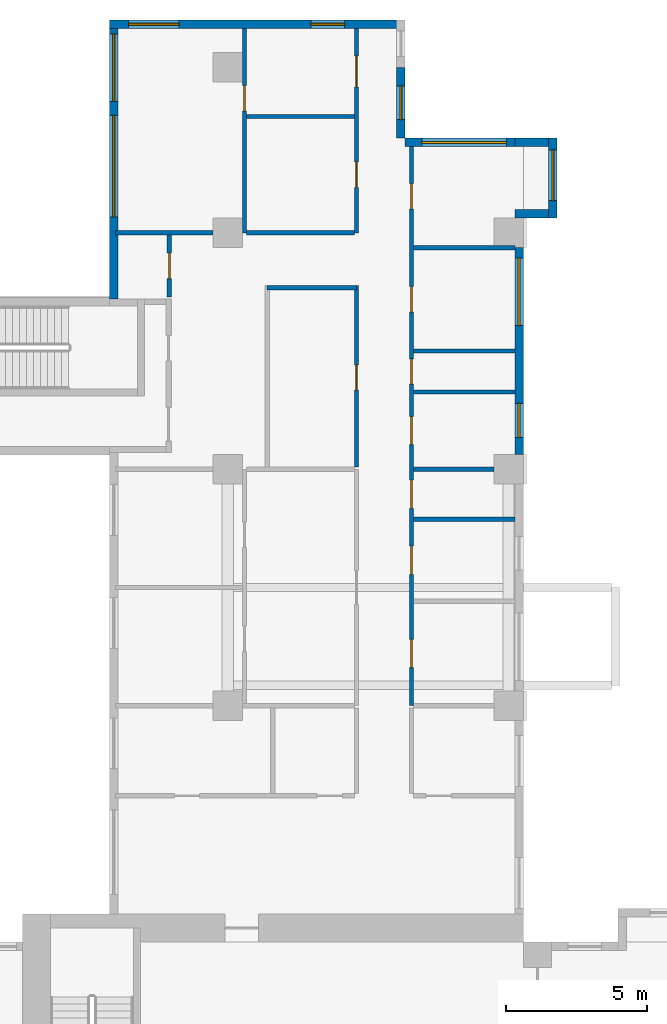
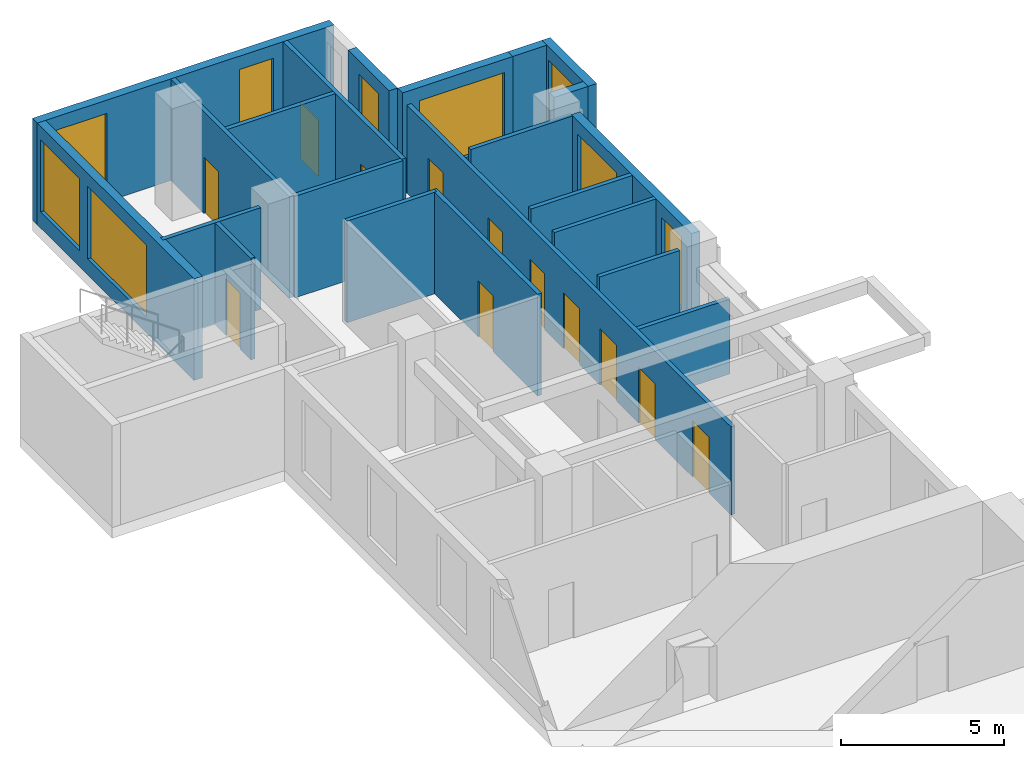
# One storey, part 7 of 14: 22 walls, 12 doors, 9 windows, 21 openings.
"""IFC4 building model written with IfcOpenShell, lengths in metres."""

from ifc_helpers import new_model, si_unit, direction, frame, frame_2d, origin, place, context, subcontext, project, spatial, rectangle, extrude, source, transform, mapped, material, layer, layer_set, type_object, element, fill, save


model = new_model("IFC4")

# Units and contexts
model_context = context("Model", 3, precision=1e-05, world=origin(), true_north=direction((0.0, 1.0)))
body_context = subcontext(model_context, "Body", "Model", "MODEL_VIEW")
ifc_project = project(units=[si_unit("LENGTHUNIT", "METRE"), si_unit("AREAUNIT", "SQUARE_METRE"), si_unit("VOLUMEUNIT", "CUBIC_METRE"), si_unit("PLANEANGLEUNIT", "RADIAN"), si_unit("MASSUNIT", "GRAM", prefix="KILO")], contexts=[model_context])

# Site, building, storey
site_placement = place(None, origin())
site = spatial("IfcSite", under=ifc_project, at=site_placement, CompositionType="ELEMENT")
building_placement = place(site_placement, origin())
building = spatial("IfcBuilding", under=site, at=building_placement, Name="Aurelian Terraces", CompositionType="ELEMENT")
storey_placement = place(building_placement, frame((0.0, 0.0, 116.1)))
storey = spatial("IfcBuildingStorey", under=building, at=storey_placement, Name="L25", CompositionType="ELEMENT", Elevation=116.1)

# Wall, opening, window
ifc_material_1 = material(Name="Terracotta rainscreen cladding", Category="masonry")
ifc_layer_1 = layer(ifc_material_1, 0.3)
ifc_layer_set_1 = layer_set([ifc_layer_1], Name="EW-300")
wall_type_1 = type_object("IfcWallType", Name="EW-300", PredefinedType="STANDARD", material=ifc_layer_set_1)
shared_shape_1 = source(origin(), body_context, "Body", "SweptSolid", [
    extrude(rectangle(XDim=4.2, YDim=0.3, at=frame_2d((2.1, 0.0))), origin(), (0.0, 0.0, 1.0), 3.8),
])
wall_1_placement = place(storey_placement, frame((21.0, 49.41, 0.0), z_axis=(0.0, 0.0, 1.0), x_axis=(-1.0, 0.0, 0.0)))
wall_1 = element("IfcWall", 1, at=wall_1_placement, inside=storey, type_object=wall_type_1, Name="External wall L25 F09.27", PredefinedType="STANDARD", context=body_context, shape_type="MappedRepresentation", body=[
    mapped(shared_shape_1, transform((0.0, 0.0, 0.0), scale=1.0)),
])
shared_shape_2 = source(origin(), body_context, "Body", "SweptSolid", [
    extrude(rectangle(XDim=3.0, YDim=2.7, at=frame_2d((1.5, 1.35))), frame((0.0, 0.16, 0.0), z_axis=(0.0, -1.0, 0.0), x_axis=(1.0, 0.0, 0.0)), (0.0, 0.0, 1.0), 0.32),
])
opening_1_placement = place(wall_1_placement, frame((0.6, 0.0, 0.6)))
opening_1 = element("IfcOpeningElement", 2, at=opening_1_placement, cuts=wall_1, Name="Opening W3027", PredefinedType="OPENING", context=body_context, shape_type="MappedRepresentation", body=[
    mapped(shared_shape_2, transform((0.0, 0.0, 0.0), scale=1.0)),
])
ifc_material_2 = material(Name="Clear glazing", Category="glass")
window_type_1 = type_object("IfcWindowType", Name="W-3000x2700", PartitioningType="SINGLE_PANEL", PredefinedType="WINDOW", material=ifc_material_2)
shared_shape_3 = source(origin(), body_context, "Body", "SweptSolid", [
    extrude(rectangle(XDim=3.0, YDim=2.7, at=frame_2d((1.5, 1.35))), frame((0.0, 0.03, 0.0), z_axis=(0.0, -1.0, 0.0), x_axis=(1.0, 0.0, 0.0)), (0.0, 0.0, 1.0), 0.06),
])
window_1_placement = place(opening_1_placement, origin())
window_1 = element("IfcWindow", 3, at=window_1_placement, inside=storey, type_object=window_type_1, Name="Window L25 L25-F09-27-0", OverallHeight=2.7, OverallWidth=3.0, PartitioningType="SINGLE_PANEL", PredefinedType="WINDOW", context=body_context, shape_type="MappedRepresentation", body=[
    mapped(shared_shape_3, transform((0.0, 0.0, 0.0), scale=1.0)),
])
fill(opening_1, window_1)

# Walls
shared_shape_4 = source(origin(), body_context, "Body", "SweptSolid", [
    extrude(rectangle(XDim=1.2, YDim=0.3, at=frame_2d((0.6, 0.0))), origin(), (0.0, 0.0, 1.0), 3.8),
])
for number, where, z_axis, x_axis, name in (
    (4, (20.7, 46.875, 0.0), (0.0, 0.0, 1.0), (1.0, 0.0, 0.0), "Bay return L25 F08.26.1"),
    (5, (20.7, 49.41, 0.0), (0.0, 0.0, 1.0), (1.0, 0.0, 0.0), "Bay return L25 F08.26.2"),
):
    element("IfcWall", number, at=place(storey_placement, frame(where, z_axis=z_axis, x_axis=x_axis)), inside=storey, type_object=wall_type_1, Name=name, PredefinedType="STANDARD", context=body_context, shape_type="MappedRepresentation", body=[
        mapped(shared_shape_4, transform((0.0, 0.0, 0.0), scale=1.0)),
    ])

# Wall, opening, window
shared_shape_5 = source(origin(), body_context, "Body", "SweptSolid", [
    extrude(rectangle(XDim=2.52, YDim=0.3, at=frame_2d((1.26, 0.0))), origin(), (0.0, 0.0, 1.0), 3.8),
])
wall_2_placement = place(storey_placement, frame((16.65, 49.56, 0.0), z_axis=(0.0, 0.0, 1.0), x_axis=(0.0, 1.0, 0.0)))
wall_2 = element("IfcWall", 6, at=wall_2_placement, inside=storey, type_object=wall_type_1, Name="External wall L25 F10.28", PredefinedType="STANDARD", context=body_context, shape_type="MappedRepresentation", body=[
    mapped(shared_shape_5, transform((0.0, 0.0, 0.0), scale=1.0)),
])
shared_shape_6 = source(origin(), body_context, "Body", "SweptSolid", [
    extrude(rectangle(XDim=1.2, YDim=2.7, at=frame_2d((0.6, 1.35))), frame((0.0, 0.16, 0.0), z_axis=(0.0, -1.0, 0.0), x_axis=(1.0, 0.0, 0.0)), (0.0, 0.0, 1.0), 0.32),
])
opening_2_placement = place(wall_2_placement, frame((0.66, 0.0, 0.6)))
opening_2 = element("IfcOpeningElement", 7, at=opening_2_placement, cuts=wall_2, Name="Opening W1227", PredefinedType="OPENING", context=body_context, shape_type="MappedRepresentation", body=[
    mapped(shared_shape_6, transform((0.0, 0.0, 0.0), scale=1.0)),
])
window_type_2 = type_object("IfcWindowType", Name="W-1200x2700", PartitioningType="SINGLE_PANEL", PredefinedType="WINDOW", material=ifc_material_2)
shared_shape_7 = source(origin(), body_context, "Body", "SweptSolid", [
    extrude(rectangle(XDim=1.2, YDim=2.7, at=frame_2d((0.6, 1.35))), frame((0.0, 0.03, 0.0), z_axis=(0.0, -1.0, 0.0), x_axis=(1.0, 0.0, 0.0)), (0.0, 0.0, 1.0), 0.06),
])
window_2_placement = place(opening_2_placement, origin())
window_2 = element("IfcWindow", 8, at=window_2_placement, inside=storey, type_object=window_type_2, Name="Window L25 L25-F10-28-0", OverallHeight=2.7, OverallWidth=1.2, PartitioningType="SINGLE_PANEL", PredefinedType="WINDOW", context=body_context, shape_type="MappedRepresentation", body=[
    mapped(shared_shape_7, transform((0.0, 0.0, 0.0), scale=1.0)),
])
fill(opening_2, window_2)

# Wall, openings, windows
shared_shape_8 = source(origin(), body_context, "Body", "SweptSolid", [
    extrude(rectangle(XDim=7.35, YDim=0.3, at=frame_2d((3.675, 0.0))), origin(), (0.0, 0.0, 1.0), 3.8),
])
wall_3_placement = place(storey_placement, frame((20.85, 38.325, 0.0), z_axis=(0.0, 0.0, 1.0), x_axis=(0.0, 1.0, 0.0)))
wall_3 = element("IfcWall", 9, at=wall_3_placement, inside=storey, type_object=wall_type_1, Name="External wall L25 F08.25", PredefinedType="STANDARD", context=body_context, shape_type="MappedRepresentation", body=[
    mapped(shared_shape_8, transform((0.0, 0.0, 0.0), scale=1.0)),
])
opening_3_placement = place(wall_3_placement, frame((0.6115, 0.0, 0.6)))
opening_3 = element("IfcOpeningElement", 10, at=opening_3_placement, cuts=wall_3, Name="Opening W1227", PredefinedType="OPENING", context=body_context, shape_type="MappedRepresentation", body=[
    mapped(shared_shape_6, transform((0.0, 0.0, 0.0), scale=1.0)),
])
shared_shape_9 = source(origin(), body_context, "Body", "SweptSolid", [
    extrude(rectangle(XDim=2.4, YDim=2.7, at=frame_2d((1.2, 1.35))), frame((0.0, 0.16, 0.0), z_axis=(0.0, -1.0, 0.0), x_axis=(1.0, 0.0, 0.0)), (0.0, 0.0, 1.0), 0.32),
])
opening_4_placement = place(wall_3_placement, frame((4.575, 0.0, 0.6)))
opening_4 = element("IfcOpeningElement", 11, at=opening_4_placement, cuts=wall_3, Name="Opening W2427", PredefinedType="OPENING", context=body_context, shape_type="MappedRepresentation", body=[
    mapped(shared_shape_9, transform((0.0, 0.0, 0.0), scale=1.0)),
])
window_type_3 = type_object("IfcWindowType", Name="W-2400x2700", PartitioningType="SINGLE_PANEL", PredefinedType="WINDOW", material=ifc_material_2)
shared_shape_10 = source(origin(), body_context, "Body", "SweptSolid", [
    extrude(rectangle(XDim=2.4, YDim=2.7, at=frame_2d((1.2, 1.35))), frame((0.0, 0.03, 0.0), z_axis=(0.0, -1.0, 0.0), x_axis=(1.0, 0.0, 0.0)), (0.0, 0.0, 1.0), 0.06),
])
window_3_placement = place(opening_4_placement, origin())
window_3 = element("IfcWindow", 12, at=window_3_placement, inside=storey, type_object=window_type_3, Name="Window L25 L25-F08-25-1", OverallHeight=2.7, OverallWidth=2.4, PartitioningType="SINGLE_PANEL", PredefinedType="WINDOW", context=body_context, shape_type="MappedRepresentation", body=[
    mapped(shared_shape_10, transform((0.0, 0.0, 0.0), scale=1.0)),
])
fill(opening_4, window_3)
window_4_placement = place(opening_3_placement, origin())
window_4 = element("IfcWindow", 13, at=window_4_placement, inside=storey, type_object=window_type_2, Name="Window L25 L25-F08-25-0", OverallHeight=2.7, OverallWidth=1.2, PartitioningType="SINGLE_PANEL", PredefinedType="WINDOW", context=body_context, shape_type="MappedRepresentation", body=[
    mapped(shared_shape_7, transform((0.0, 0.0, 0.0), scale=1.0)),
])
fill(opening_3, window_4)

# Wall, opening, window
shared_shape_11 = source(origin(), body_context, "Body", "SweptSolid", [
    extrude(rectangle(XDim=2.835, YDim=0.3, at=frame_2d((1.4175, 0.0))), origin(), (0.0, 0.0, 1.0), 3.8),
])
wall_4_placement = place(storey_placement, frame((22.05, 46.725, 0.0), z_axis=(0.0, 0.0, 1.0), x_axis=(0.0, 1.0, 0.0)))
wall_4 = element("IfcWall", 14, at=wall_4_placement, inside=storey, type_object=wall_type_1, Name="Bay wall L25 F08.26", PredefinedType="STANDARD", context=body_context, shape_type="MappedRepresentation", body=[
    mapped(shared_shape_11, transform((0.0, 0.0, 0.0), scale=1.0)),
])
shared_shape_12 = source(origin(), body_context, "Body", "SweptSolid", [
    extrude(rectangle(XDim=1.8, YDim=2.7, at=frame_2d((0.9, 1.35))), frame((0.0, 0.16, 0.0), z_axis=(0.0, -1.0, 0.0), x_axis=(1.0, 0.0, 0.0)), (0.0, 0.0, 1.0), 0.32),
])
opening_5_placement = place(wall_4_placement, frame((0.6175, 0.0, 0.6)))
opening_5 = element("IfcOpeningElement", 15, at=opening_5_placement, cuts=wall_4, Name="Opening W1827", PredefinedType="OPENING", context=body_context, shape_type="MappedRepresentation", body=[
    mapped(shared_shape_12, transform((0.0, 0.0, 0.0), scale=1.0)),
])
window_type_4 = type_object("IfcWindowType", Name="W-1800x2700", PartitioningType="SINGLE_PANEL", PredefinedType="WINDOW", material=ifc_material_2)
shared_shape_13 = source(origin(), body_context, "Body", "SweptSolid", [
    extrude(rectangle(XDim=1.8, YDim=2.7, at=frame_2d((0.9, 1.35))), frame((0.0, 0.03, 0.0), z_axis=(0.0, -1.0, 0.0), x_axis=(1.0, 0.0, 0.0)), (0.0, 0.0, 1.0), 0.06),
])
window_5_placement = place(opening_5_placement, origin())
window_5 = element("IfcWindow", 16, at=window_5_placement, inside=storey, type_object=window_type_4, Name="Window L25 L25-F08-26-0", OverallHeight=2.7, OverallWidth=1.8, PartitioningType="SINGLE_PANEL", PredefinedType="WINDOW", context=body_context, shape_type="MappedRepresentation", body=[
    mapped(shared_shape_13, transform((0.0, 0.0, 0.0), scale=1.0)),
])
fill(opening_5, window_5)

# Wall, openings, windows
shared_shape_14 = source(origin(), body_context, "Body", "SweptSolid", [
    extrude(rectangle(XDim=10.5, YDim=0.3, at=frame_2d((5.25, 0.0))), origin(), (0.0, 0.0, 1.0), 3.8),
])
wall_5_placement = place(storey_placement, frame((16.8, 53.61, 0.0), z_axis=(0.0, 0.0, 1.0), x_axis=(-1.0, 0.0, 0.0)))
wall_5 = element("IfcWall", 17, at=wall_5_placement, inside=storey, type_object=wall_type_1, Name="External wall L25 F11.30", PredefinedType="STANDARD", context=body_context, shape_type="MappedRepresentation", body=[
    mapped(shared_shape_14, transform((0.0, 0.0, 0.0), scale=1.0)),
])
opening_6_placement = place(wall_5_placement, frame((2.15, 0.0, 0.6)))
opening_6 = element("IfcOpeningElement", 18, at=opening_6_placement, cuts=wall_5, Name="Opening W1227", PredefinedType="OPENING", context=body_context, shape_type="MappedRepresentation", body=[
    mapped(shared_shape_6, transform((0.0, 0.0, 0.0), scale=1.0)),
])
opening_7_placement = place(wall_5_placement, frame((8.025, 0.0, 0.6)))
opening_7 = element("IfcOpeningElement", 19, at=opening_7_placement, cuts=wall_5, Name="Opening W1827", PredefinedType="OPENING", context=body_context, shape_type="MappedRepresentation", body=[
    mapped(shared_shape_12, transform((0.0, 0.0, 0.0), scale=1.0)),
])
window_6_placement = place(opening_7_placement, origin())
window_6 = element("IfcWindow", 20, at=window_6_placement, inside=storey, type_object=window_type_4, Name="Window L25 L25-F11-30-2", OverallHeight=2.7, OverallWidth=1.8, PartitioningType="SINGLE_PANEL", PredefinedType="WINDOW", context=body_context, shape_type="MappedRepresentation", body=[
    mapped(shared_shape_13, transform((0.0, 0.0, 0.0), scale=1.0)),
])
fill(opening_7, window_6)
window_7_placement = place(opening_6_placement, origin())
window_7 = element("IfcWindow", 21, at=window_7_placement, inside=storey, type_object=window_type_2, Name="Window L25 L25-F11-30-0", OverallHeight=2.7, OverallWidth=1.2, PartitioningType="SINGLE_PANEL", PredefinedType="WINDOW", context=body_context, shape_type="MappedRepresentation", body=[
    mapped(shared_shape_7, transform((0.0, 0.0, 0.0), scale=1.0)),
])
fill(opening_6, window_7)

shared_shape_15 = source(origin(), body_context, "Body", "SweptSolid", [
    extrude(rectangle(XDim=9.91, YDim=0.3, at=frame_2d((4.955, 0.0))), origin(), (0.0, 0.0, 1.0), 3.8),
])
wall_6_placement = place(storey_placement, frame((6.45, 53.76, 0.0), z_axis=(0.0, 0.0, 1.0), x_axis=(0.0, -1.0, 0.0)))
wall_6 = element("IfcWall", 22, at=wall_6_placement, inside=storey, type_object=wall_type_1, Name="External wall L25 F12.31", PredefinedType="STANDARD", context=body_context, shape_type="MappedRepresentation", body=[
    mapped(shared_shape_15, transform((0.0, 0.0, 0.0), scale=1.0)),
])
shared_shape_16 = source(origin(), body_context, "Body", "SweptSolid", [
    extrude(rectangle(XDim=3.6, YDim=2.7, at=frame_2d((1.8, 1.35))), frame((0.0, 0.16, 0.0), z_axis=(0.0, -1.0, 0.0), x_axis=(1.0, 0.0, 0.0)), (0.0, 0.0, 1.0), 0.32),
])
opening_8_placement = place(wall_6_placement, frame((3.39, 0.0, 0.6)))
opening_8 = element("IfcOpeningElement", 23, at=opening_8_placement, cuts=wall_6, Name="Opening W3627", PredefinedType="OPENING", context=body_context, shape_type="MappedRepresentation", body=[
    mapped(shared_shape_16, transform((0.0, 0.0, 0.0), scale=1.0)),
])
opening_9_placement = place(wall_6_placement, frame((0.495, 0.0, 0.6)))
opening_9 = element("IfcOpeningElement", 24, at=opening_9_placement, cuts=wall_6, Name="Opening W2427", PredefinedType="OPENING", context=body_context, shape_type="MappedRepresentation", body=[
    mapped(shared_shape_9, transform((0.0, 0.0, 0.0), scale=1.0)),
])
window_type_5 = type_object("IfcWindowType", Name="W-3600x2700", PartitioningType="SINGLE_PANEL", PredefinedType="WINDOW", material=ifc_material_2)
shared_shape_17 = source(origin(), body_context, "Body", "SweptSolid", [
    extrude(rectangle(XDim=3.6, YDim=2.7, at=frame_2d((1.8, 1.35))), frame((0.0, 0.03, 0.0), z_axis=(0.0, -1.0, 0.0), x_axis=(1.0, 0.0, 0.0)), (0.0, 0.0, 1.0), 0.06),
])
window_8_placement = place(opening_8_placement, origin())
window_8 = element("IfcWindow", 25, at=window_8_placement, inside=storey, type_object=window_type_5, Name="Window L25 L25-F12-31-1", OverallHeight=2.7, OverallWidth=3.6, PartitioningType="SINGLE_PANEL", PredefinedType="WINDOW", context=body_context, shape_type="MappedRepresentation", body=[
    mapped(shared_shape_17, transform((0.0, 0.0, 0.0), scale=1.0)),
])
fill(opening_8, window_8)
window_9_placement = place(opening_9_placement, origin())
window_9 = element("IfcWindow", 26, at=window_9_placement, inside=storey, type_object=window_type_3, Name="Window L25 L25-F12-31-G0-0", OverallHeight=2.7, OverallWidth=2.4, PartitioningType="SINGLE_PANEL", PredefinedType="WINDOW", context=body_context, shape_type="MappedRepresentation", body=[
    mapped(shared_shape_10, transform((0.0, 0.0, 0.0), scale=1.0)),
])
fill(opening_9, window_9)

# Wall, opening, door
ifc_material_3 = material(Name="Gypsum board on steel studs", Category="steel")
ifc_layer_2 = layer(ifc_material_3, 0.15)
ifc_layer_set_2 = layer_set([ifc_layer_2], Name="Fire partition 150")
wall_type_2 = type_object("IfcWallType", Name="Fire partition 150", PredefinedType="PARTITIONING", material=ifc_layer_set_2)
shared_shape_18 = source(origin(), body_context, "Body", "SweptSolid", [
    extrude(rectangle(XDim=6.45, YDim=0.15, at=frame_2d((3.225, 0.0))), origin(), (0.0, 0.0, 1.0), 3.8),
])
wall_7_placement = place(storey_placement, frame((15.075, 37.875, 0.0), z_axis=(0.0, 0.0, 1.0), x_axis=(0.0, 1.0, 0.0)))
wall_7 = element("IfcWall", 27, at=wall_7_placement, inside=storey, type_object=wall_type_2, Name="Corridor wall", PredefinedType="PARTITIONING", context=body_context, shape_type="MappedRepresentation", body=[
    mapped(shared_shape_18, transform((0.0, 0.0, 0.0), scale=1.0)),
])
shared_shape_19 = source(origin(), body_context, "Body", "SweptSolid", [
    extrude(rectangle(XDim=0.9, YDim=2.1, at=frame_2d((0.45, 1.05))), frame((0.0, 0.085, 0.0), z_axis=(0.0, -1.0, 0.0), x_axis=(1.0, 0.0, 0.0)), (0.0, 0.0, 1.0), 0.17),
])
opening_10_placement = place(wall_7_placement, frame((2.7375, 0.0, 0.0)))
opening_10 = element("IfcOpeningElement", 28, at=opening_10_placement, cuts=wall_7, Name="Opening 725034", PredefinedType="OPENING", context=body_context, shape_type="MappedRepresentation", body=[
    mapped(shared_shape_19, transform((0.0, 0.0, 0.0), scale=1.0)),
])
ifc_material_4 = material(Name="Timber door leaf", Category="wood")
door_type_1 = type_object("IfcDoorType", Name="Room door 900x2100 left", OperationType="SINGLE_SWING_LEFT", PredefinedType="DOOR", material=ifc_material_4)
shared_shape_20 = source(origin(), body_context, "Body", "SweptSolid", [
    extrude(rectangle(XDim=0.9, YDim=2.1, at=frame_2d((0.45, 1.05))), frame((0.0, 0.025, 0.0), z_axis=(0.0, -1.0, 0.0), x_axis=(1.0, 0.0, 0.0)), (0.0, 0.0, 1.0), 0.05),
])
door_1_placement = place(opening_10_placement, origin())
door_1 = element("IfcDoor", 29, at=door_1_placement, inside=storey, type_object=door_type_1, Name="Door 725034", OperationType="SINGLE_SWING_LEFT", OverallHeight=2.1, OverallWidth=0.9, PredefinedType="DOOR", context=body_context, shape_type="MappedRepresentation", body=[
    mapped(shared_shape_20, transform((0.0, 0.0, 0.0), scale=1.0)),
])
fill(opening_10, door_1)

# Walls
ifc_layer_3 = layer(ifc_material_3, 0.15)
ifc_layer_set_3 = layer_set([ifc_layer_3], Name="Partition 150")
wall_type_3 = type_object("IfcWallType", Name="Partition 150", PredefinedType="PARTITIONING", material=ifc_layer_set_3)
shared_shape_21 = source(origin(), body_context, "Body", "SweptSolid", [
    extrude(rectangle(XDim=3.6, YDim=0.15, at=frame_2d((1.8, 0.0))), origin(), (0.0, 0.0, 1.0), 3.8),
])
for number, where, z_axis, x_axis, name in (
    (30, (17.1, 40.548, 0.0), (0.0, 0.0, 1.0), (1.0, 0.0, 0.0), "Partition"),
    (31, (17.1, 45.6675, 0.0), (0.0, 0.0, 1.0), (1.0, 0.0, 0.0), "Partition"),
    (32, (20.7, 42.0, 0.0), (0.0, 0.0, 1.0), (-1.0, 0.0, 0.0), "Partition"),
):
    element("IfcWall", number, at=place(storey_placement, frame(where, z_axis=z_axis, x_axis=x_axis)), inside=storey, type_object=wall_type_3, Name=name, PredefinedType="PARTITIONING", context=body_context, shape_type="MappedRepresentation", body=[
        mapped(shared_shape_21, transform((0.0, 0.0, 0.0), scale=1.0)),
    ])

# Wall, opening, door
shared_shape_22 = source(origin(), body_context, "Body", "SweptSolid", [
    extrude(rectangle(XDim=2.2, YDim=0.15, at=frame_2d((1.1, 0.0))), origin(), (0.0, 0.0, 1.0), 3.8),
])
wall_8_placement = place(storey_placement, frame((8.425, 43.925, 0.0), z_axis=(0.0, 0.0, 1.0), x_axis=(0.0, 1.0, 0.0)))
wall_8 = element("IfcWall", 33, at=wall_8_placement, inside=storey, type_object=wall_type_3, Name="Partition", PredefinedType="PARTITIONING", context=body_context, shape_type="MappedRepresentation", body=[
    mapped(shared_shape_22, transform((0.0, 0.0, 0.0), scale=1.0)),
])
opening_11_placement = place(wall_8_placement, frame((0.65, 0.0, 0.0)))
opening_11 = element("IfcOpeningElement", 34, at=opening_11_placement, cuts=wall_8, Name="Opening 725035", PredefinedType="OPENING", context=body_context, shape_type="MappedRepresentation", body=[
    mapped(shared_shape_19, transform((0.0, 0.0, 0.0), scale=1.0)),
])
door_2_placement = place(opening_11_placement, origin())
door_2 = element("IfcDoor", 35, at=door_2_placement, inside=storey, type_object=door_type_1, Name="Door 725035", OperationType="SINGLE_SWING_LEFT", OverallHeight=2.1, OverallWidth=0.9, PredefinedType="DOOR", context=body_context, shape_type="MappedRepresentation", body=[
    mapped(shared_shape_20, transform((0.0, 0.0, 0.0), scale=1.0)),
])
fill(opening_11, door_2)

# Walls
shared_shape_23 = source(origin(), body_context, "Body", "SweptSolid", [
    extrude(rectangle(XDim=3.6, YDim=0.15, at=frame_2d((1.8, 0.0))), origin(), (0.0, 0.0, 1.0), 2.8),
])
wall_9_placement = place(storey_placement, frame((17.1, 36.024, 0.0), z_axis=(0.0, 0.0, 1.0), x_axis=(1.0, 0.0, 0.0)))
element("IfcWall", 36, at=wall_9_placement, inside=storey, type_object=wall_type_3, Name="Partition", PredefinedType="PARTITIONING", context=body_context, shape_type="MappedRepresentation", body=[
    mapped(shared_shape_23, transform((0.0, 0.0, 0.0), scale=1.0)),
])
shared_shape_24 = source(origin(), body_context, "Body", "SweptSolid", [
    extrude(rectangle(XDim=3.175, YDim=0.15, at=frame_2d((1.5875, 0.0))), origin(), (0.0, 0.0, 1.0), 3.8),
])
wall_10_placement = place(storey_placement, frame((15.075, 44.25, 0.0), z_axis=(0.0, 0.0, 1.0), x_axis=(-1.0, 0.0, 0.0)))
element("IfcWall", 37, at=wall_10_placement, inside=storey, type_object=wall_type_3, Name="Partition", PredefinedType="PARTITIONING", context=body_context, shape_type="MappedRepresentation", body=[
    mapped(shared_shape_24, transform((0.0, 0.0, 0.0), scale=1.0)),
])

# Wall, opening, door
shared_shape_25 = source(origin(), body_context, "Body", "SweptSolid", [
    extrude(rectangle(XDim=7.26, YDim=0.15, at=frame_2d((3.63, 0.0))), origin(), (0.0, 0.0, 1.0), 3.8),
])
wall_11_placement = place(storey_placement, frame((11.1, 46.2, 0.0), z_axis=(0.0, 0.0, 1.0), x_axis=(0.0, 1.0, 0.0)))
wall_11 = element("IfcWall", 38, at=wall_11_placement, inside=storey, type_object=wall_type_3, Name="Partition", PredefinedType="PARTITIONING", context=body_context, shape_type="MappedRepresentation", body=[
    mapped(shared_shape_25, transform((0.0, 0.0, 0.0), scale=1.0)),
])
opening_12_placement = place(wall_11_placement, frame((4.3317, 0.0, 0.0)))
opening_12 = element("IfcOpeningElement", 39, at=opening_12_placement, cuts=wall_11, Name="Opening 725040", PredefinedType="OPENING", context=body_context, shape_type="MappedRepresentation", body=[
    mapped(shared_shape_19, transform((0.0, 0.0, 0.0), scale=1.0)),
])
door_3_placement = place(opening_12_placement, origin())
door_3 = element("IfcDoor", 40, at=door_3_placement, inside=storey, type_object=door_type_1, Name="Door 725040", OperationType="SINGLE_SWING_LEFT", OverallHeight=2.1, OverallWidth=0.9, PredefinedType="DOOR", context=body_context, shape_type="MappedRepresentation", body=[
    mapped(shared_shape_20, transform((0.0, 0.0, 0.0), scale=1.0)),
])
fill(opening_12, door_3)

# Wall, openings, doors
wall_12_placement = place(storey_placement, frame((15.075, 46.2, 0.0), z_axis=(0.0, 0.0, 1.0), x_axis=(0.0, 1.0, 0.0)))
wall_12 = element("IfcWall", 41, at=wall_12_placement, inside=storey, type_object=wall_type_2, Name="Corridor wall", PredefinedType="PARTITIONING", context=body_context, shape_type="MappedRepresentation", body=[
    mapped(shared_shape_25, transform((0.0, 0.0, 0.0), scale=1.0)),
])
shared_shape_26 = source(origin(), body_context, "Body", "SweptSolid", [
    extrude(rectangle(XDim=1.1, YDim=2.1, at=frame_2d((0.55, 1.05))), frame((0.0, 0.085, 0.0), z_axis=(0.0, -1.0, 0.0), x_axis=(1.0, 0.0, 0.0)), (0.0, 0.0, 1.0), 0.17),
])
opening_13_placement = place(wall_12_placement, frame((5.1842, 0.0, 0.0)))
opening_13 = element("IfcOpeningElement", 42, at=opening_13_placement, cuts=wall_12, Name="Opening 725039", PredefinedType="OPENING", context=body_context, shape_type="MappedRepresentation", body=[
    mapped(shared_shape_26, transform((0.0, 0.0, 0.0), scale=1.0)),
])
opening_14_placement = place(wall_12_placement, frame((1.6167, 0.0, 0.0)))
opening_14 = element("IfcOpeningElement", 43, at=opening_14_placement, cuts=wall_12, Name="Opening 725041", PredefinedType="OPENING", context=body_context, shape_type="MappedRepresentation", body=[
    mapped(shared_shape_19, transform((0.0, 0.0, 0.0), scale=1.0)),
])
door_type_2 = type_object("IfcDoorType", Name="Room door 900x2100 right", OperationType="SINGLE_SWING_RIGHT", PredefinedType="DOOR", material=ifc_material_4)
door_4_placement = place(opening_14_placement, origin())
door_4 = element("IfcDoor", 44, at=door_4_placement, inside=storey, type_object=door_type_2, Name="Door 725041", OperationType="SINGLE_SWING_RIGHT", OverallHeight=2.1, OverallWidth=0.9, PredefinedType="DOOR", context=body_context, shape_type="MappedRepresentation", body=[
    mapped(shared_shape_20, transform((0.0, 0.0, 0.0), scale=1.0)),
])
fill(opening_14, door_4)
door_type_3 = type_object("IfcDoorType", Name="Room door 1100x2100 right", OperationType="SINGLE_SWING_RIGHT", PredefinedType="DOOR", material=ifc_material_4)
shared_shape_27 = source(origin(), body_context, "Body", "SweptSolid", [
    extrude(rectangle(XDim=1.1, YDim=2.1, at=frame_2d((0.55, 1.05))), frame((0.0, 0.025, 0.0), z_axis=(0.0, -1.0, 0.0), x_axis=(1.0, 0.0, 0.0)), (0.0, 0.0, 1.0), 0.05),
])
door_5_placement = place(opening_13_placement, origin())
door_5 = element("IfcDoor", 45, at=door_5_placement, inside=storey, type_object=door_type_3, Name="Door 725039", OperationType="SINGLE_SWING_RIGHT", OverallHeight=2.1, OverallWidth=1.1, PredefinedType="DOOR", context=body_context, shape_type="MappedRepresentation", body=[
    mapped(shared_shape_27, transform((0.0, 0.0, 0.0), scale=1.0)),
])
fill(opening_13, door_5)

# Walls
shared_shape_28 = source(origin(), body_context, "Body", "SweptSolid", [
    extrude(rectangle(XDim=3.825, YDim=0.15, at=frame_2d((1.9125, 0.0))), origin(), (0.0, 0.0, 1.0), 3.8),
])
for number, where, z_axis, x_axis, name in (
    (46, (15.0, 50.3335, 0.0), (0.0, 0.0, 1.0), (-1.0, 0.0, 0.0), "Partition"),
    (47, (15.0, 46.2, 0.0), (0.0, 0.0, 1.0), (-1.0, 0.0, 0.0), "Partition"),
):
    element("IfcWall", number, at=place(storey_placement, frame(where, z_axis=z_axis, x_axis=x_axis)), inside=storey, type_object=wall_type_3, Name=name, PredefinedType="PARTITIONING", context=body_context, shape_type="MappedRepresentation", body=[
        mapped(shared_shape_28, transform((0.0, 0.0, 0.0), scale=1.0)),
    ])
shared_shape_29 = source(origin(), body_context, "Body", "SweptSolid", [
    extrude(rectangle(XDim=2.851, YDim=0.15, at=frame_2d((1.4255, 0.0))), origin(), (0.0, 0.0, 1.0), 3.8),
])
wall_13_placement = place(storey_placement, frame((19.951, 37.8, 0.0), z_axis=(0.0, 0.0, 1.0), x_axis=(-1.0, 0.0, 0.0)))
element("IfcWall", 48, at=wall_13_placement, inside=storey, type_object=wall_type_3, Name="Partition", PredefinedType="PARTITIONING", context=body_context, shape_type="MappedRepresentation", body=[
    mapped(shared_shape_29, transform((0.0, 0.0, 0.0), scale=1.0)),
])
shared_shape_30 = source(origin(), body_context, "Body", "SweptSolid", [
    extrude(rectangle(XDim=3.471, YDim=0.15, at=frame_2d((1.7355, 0.0))), origin(), (0.0, 0.0, 1.0), 3.8),
])
wall_14_placement = place(storey_placement, frame((9.976, 46.2, 0.0), z_axis=(0.0, 0.0, 1.0), x_axis=(-1.0, 0.0, 0.0)))
element("IfcWall", 49, at=wall_14_placement, inside=storey, type_object=wall_type_3, Name="Partition", PredefinedType="PARTITIONING", context=body_context, shape_type="MappedRepresentation", body=[
    mapped(shared_shape_30, transform((0.0, 0.0, 0.0), scale=1.0)),
])

# Wall, openings, doors
shared_shape_31 = source(origin(), body_context, "Body", "SweptSolid", [
    extrude(rectangle(XDim=19.86, YDim=0.15, at=frame_2d((9.93, 0.0))), origin(), (0.0, 0.0, 1.0), 3.3),
])
wall_15_placement = place(storey_placement, frame((17.025, 49.26, 0.0), z_axis=(0.0, 0.0, 1.0), x_axis=(0.0, -1.0, 0.0)))
wall_15 = element("IfcWall", 50, at=wall_15_placement, inside=storey, type_object=wall_type_2, Name="Corridor wall", PredefinedType="PARTITIONING", context=body_context, shape_type="MappedRepresentation", body=[
    mapped(shared_shape_31, transform((0.0, 0.0, 0.0), scale=1.0)),
])
shared_shape_32 = source(origin(), body_context, "Body", "SweptSolid", [
    extrude(rectangle(XDim=1.0, YDim=2.1, at=frame_2d((0.5, 1.05))), frame((0.0, 0.085, 0.0), z_axis=(0.0, -1.0, 0.0), x_axis=(1.0, 0.0, 0.0)), (0.0, 0.0, 1.0), 0.17),
])
opening_15_placement = place(wall_15_placement, frame((17.5033, 0.0, 0.0)))
opening_15 = element("IfcOpeningElement", 51, at=opening_15_placement, cuts=wall_15, Name="Opening 725042", PredefinedType="OPENING", context=body_context, shape_type="MappedRepresentation", body=[
    mapped(shared_shape_32, transform((0.0, 0.0, 0.0), scale=1.0)),
])
opening_16_placement = place(wall_15_placement, frame((14.1914, 0.0, 0.0)))
opening_16 = element("IfcOpeningElement", 52, at=opening_16_placement, cuts=wall_15, Name="Opening 725043", PredefinedType="OPENING", context=body_context, shape_type="MappedRepresentation", body=[
    mapped(shared_shape_32, transform((0.0, 0.0, 0.0), scale=1.0)),
])
opening_17_placement = place(wall_15_placement, frame((11.848, 0.0, 0.0)))
opening_17 = element("IfcOpeningElement", 53, at=opening_17_placement, cuts=wall_15, Name="Opening 725044", PredefinedType="OPENING", context=body_context, shape_type="MappedRepresentation", body=[
    mapped(shared_shape_32, transform((0.0, 0.0, 0.0), scale=1.0)),
])
opening_18_placement = place(wall_15_placement, frame((9.586, 0.0, 0.0)))
opening_18 = element("IfcOpeningElement", 54, at=opening_18_placement, cuts=wall_15, Name="Opening 725045", PredefinedType="OPENING", context=body_context, shape_type="MappedRepresentation", body=[
    mapped(shared_shape_32, transform((0.0, 0.0, 0.0), scale=1.0)),
])
opening_19_placement = place(wall_15_placement, frame((7.536, 0.0, 0.0)))
opening_19 = element("IfcOpeningElement", 55, at=opening_19_placement, cuts=wall_15, Name="Opening 725046", PredefinedType="OPENING", context=body_context, shape_type="MappedRepresentation", body=[
    mapped(shared_shape_19, transform((0.0, 0.0, 0.0), scale=1.0)),
])
opening_20_placement = place(wall_15_placement, frame((4.9762, 0.0, 0.0)))
opening_20 = element("IfcOpeningElement", 56, at=opening_20_placement, cuts=wall_15, Name="Opening 725047", PredefinedType="OPENING", context=body_context, shape_type="MappedRepresentation", body=[
    mapped(shared_shape_19, transform((0.0, 0.0, 0.0), scale=1.0)),
])
opening_21_placement = place(wall_15_placement, frame((1.3088, 0.0, 0.0)))
opening_21 = element("IfcOpeningElement", 57, at=opening_21_placement, cuts=wall_15, Name="Opening 725048", PredefinedType="OPENING", context=body_context, shape_type="MappedRepresentation", body=[
    mapped(shared_shape_19, transform((0.0, 0.0, 0.0), scale=1.0)),
])
door_type_4 = type_object("IfcDoorType", Name="Room door 1000x2100 right", OperationType="SINGLE_SWING_RIGHT", PredefinedType="DOOR", material=ifc_material_4)
shared_shape_33 = source(origin(), body_context, "Body", "SweptSolid", [
    extrude(rectangle(XDim=1.0, YDim=2.1, at=frame_2d((0.5, 1.05))), frame((0.0, 0.025, 0.0), z_axis=(0.0, -1.0, 0.0), x_axis=(1.0, 0.0, 0.0)), (0.0, 0.0, 1.0), 0.05),
])
door_6_placement = place(opening_15_placement, origin())
door_6 = element("IfcDoor", 58, at=door_6_placement, inside=storey, type_object=door_type_4, Name="Door 725042", OperationType="SINGLE_SWING_RIGHT", OverallHeight=2.1, OverallWidth=1.0, PredefinedType="DOOR", context=body_context, shape_type="MappedRepresentation", body=[
    mapped(shared_shape_33, transform((0.0, 0.0, 0.0), scale=1.0)),
])
fill(opening_15, door_6)
door_type_5 = type_object("IfcDoorType", Name="Room door 1000x2100 left", OperationType="SINGLE_SWING_LEFT", PredefinedType="DOOR", material=ifc_material_4)
door_7_placement = place(opening_16_placement, origin())
door_7 = element("IfcDoor", 59, at=door_7_placement, inside=storey, type_object=door_type_5, Name="Door 725043", OperationType="SINGLE_SWING_LEFT", OverallHeight=2.1, OverallWidth=1.0, PredefinedType="DOOR", context=body_context, shape_type="MappedRepresentation", body=[
    mapped(shared_shape_33, transform((0.0, 0.0, 0.0), scale=1.0)),
])
fill(opening_16, door_7)
door_8_placement = place(opening_17_placement, origin())
door_8 = element("IfcDoor", 60, at=door_8_placement, inside=storey, type_object=door_type_4, Name="Door 725044", OperationType="SINGLE_SWING_RIGHT", OverallHeight=2.1, OverallWidth=1.0, PredefinedType="DOOR", context=body_context, shape_type="MappedRepresentation", body=[
    mapped(shared_shape_33, transform((0.0, 0.0, 0.0), scale=1.0)),
])
fill(opening_17, door_8)
door_9_placement = place(opening_18_placement, origin())
door_9 = element("IfcDoor", 61, at=door_9_placement, inside=storey, type_object=door_type_4, Name="Door 725045", OperationType="SINGLE_SWING_RIGHT", OverallHeight=2.1, OverallWidth=1.0, PredefinedType="DOOR", context=body_context, shape_type="MappedRepresentation", body=[
    mapped(shared_shape_33, transform((0.0, 0.0, 0.0), scale=1.0)),
])
fill(opening_18, door_9)
door_10_placement = place(opening_19_placement, origin())
door_10 = element("IfcDoor", 62, at=door_10_placement, inside=storey, type_object=door_type_1, Name="Door 725046", OperationType="SINGLE_SWING_LEFT", OverallHeight=2.1, OverallWidth=0.9, PredefinedType="DOOR", context=body_context, shape_type="MappedRepresentation", body=[
    mapped(shared_shape_20, transform((0.0, 0.0, 0.0), scale=1.0)),
])
fill(opening_19, door_10)
door_11_placement = place(opening_20_placement, origin())
door_11 = element("IfcDoor", 63, at=door_11_placement, inside=storey, type_object=door_type_2, Name="Door 725047", OperationType="SINGLE_SWING_RIGHT", OverallHeight=2.1, OverallWidth=0.9, PredefinedType="DOOR", context=body_context, shape_type="MappedRepresentation", body=[
    mapped(shared_shape_20, transform((0.0, 0.0, 0.0), scale=1.0)),
])
fill(opening_20, door_11)
door_12_placement = place(opening_21_placement, origin())
door_12 = element("IfcDoor", 64, at=door_12_placement, inside=storey, type_object=door_type_1, Name="Door 725048", OperationType="SINGLE_SWING_LEFT", OverallHeight=2.1, OverallWidth=0.9, PredefinedType="DOOR", context=body_context, shape_type="MappedRepresentation", body=[
    mapped(shared_shape_20, transform((0.0, 0.0, 0.0), scale=1.0)),
])
fill(opening_21, door_12)

save(model, "model.ifc")
